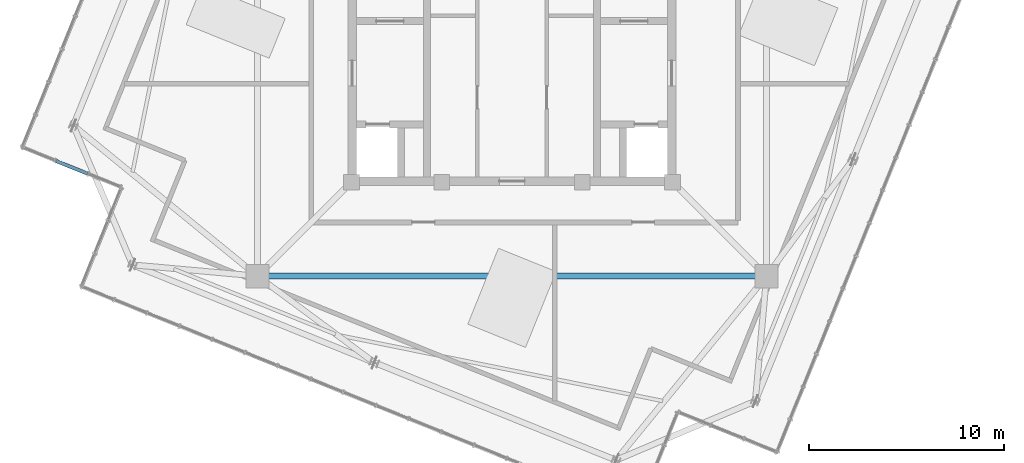
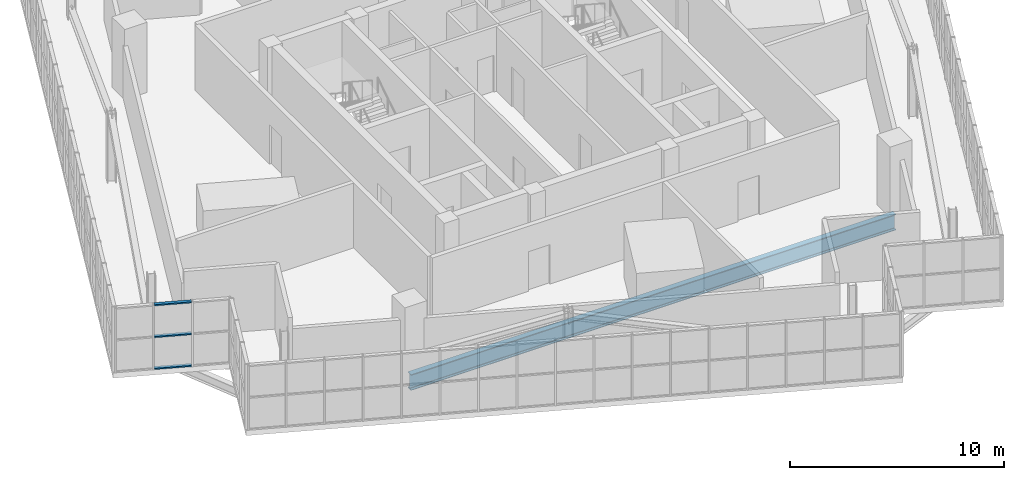
# One storey, part 5 of 26: 3 members, 1 beam, 1 element without a shape of its own.
"""IFC4 building model written with IfcOpenShell, lengths in metres."""

import ifcopenshell
import ifcopenshell.guid

model = None  # the IFC model being written
_history = None  # IfcOwnerHistory: only IFC2X3 demands one
_inside = {}  # id of a spatial element -> (the spatial element, [elements in it])
_under = {}  # id of a project, library or spatial element -> (it, [spatial elements below it])
_declared = {}  # id of a project -> (the project, [libraries it declares])
_typed = {}  # id of a type object -> (the type object, [elements of that type])
_made_of = {}  # id of a material, layer set ... -> (it, [elements and type objects made of it])


def new_model(schema):
    """Start an empty IFC model of exactly this schema.

    Asked for "IFC4X3", IfcOpenShell would pick the latest addendum, in which some entities
    have other attributes; the version numbers below select the first issue.
    IFC2X3 requires an IfcOwnerHistory on every rooted entity: one is made here for all.
    """
    global model, _history
    if schema == "IFC4X3":
        model = ifcopenshell.file(schema_version=(4, 3, 0, 0))
    else:
        model = ifcopenshell.file(schema=schema)
    _inside.clear()
    _under.clear()
    _declared.clear()
    _typed.clear()
    _made_of.clear()
    _history = None
    if model.schema == "IFC2X3":
        org = make("IfcOrganization", Name="unknown")
        user = make(
            "IfcPersonAndOrganization",
            ThePerson=make("IfcPerson", FamilyName="unknown"),
            TheOrganization=org,
        )
        app = make(
            "IfcApplication",
            ApplicationDeveloper=org,
            Version="unknown",
            ApplicationFullName="unknown",
            ApplicationIdentifier="unknown",
        )
        _history = make(
            "IfcOwnerHistory",
            OwningUser=user,
            OwningApplication=app,
            ChangeAction="ADDED",
            CreationDate=0,
        )
    return model


def make(cls, **values):
    """One entity of the class cls with the attributes given. An attribute that is None is left unset."""
    return model.create_entity(
        cls, **{name: value for name, value in values.items() if value is not None}
    )


def rooted(cls, **values):
    """An entity with a GlobalId (a new one), such as an element, a storey or a relation."""
    return make(cls, GlobalId=ifcopenshell.guid.new(), OwnerHistory=_history, **values)


def si_unit(unit_type, name, prefix=None):
    """IfcSIUnit, for example si_unit("LENGTHUNIT", "METRE", prefix="MILLI")."""
    return make("IfcSIUnit", UnitType=unit_type, Prefix=prefix, Name=name)


def assignment(units):
    """IfcUnitAssignment: the units of a project."""
    return None if units is None else make("IfcUnitAssignment", Units=units)


def point(xyz):
    """IfcCartesianPoint."""
    return None if xyz is None else make("IfcCartesianPoint", Coordinates=xyz)


def direction(xyz):
    """IfcDirection."""
    return None if xyz is None else make("IfcDirection", DirectionRatios=xyz)


def frame(location, z_axis=None, x_axis=None):
    """IfcAxis2Placement3D, a coordinate frame: its origin and axes. An axis left out is left unset."""
    return make(
        "IfcAxis2Placement3D",
        Location=point(location),
        Axis=direction(z_axis),
        RefDirection=direction(x_axis),
    )


def frame_2d(location, x_axis=None):
    """IfcAxis2Placement2D, a coordinate frame in the plane: its origin and x axis."""
    return make(
        "IfcAxis2Placement2D", Location=point(location), RefDirection=direction(x_axis)
    )


def origin():
    """The frame at (0, 0, 0) with its axes left unset."""
    return frame((0.0, 0.0, 0.0))


def origin_2d():
    """The frame at (0, 0) in the plane with its x axis left unset."""
    return frame_2d((0.0, 0.0))


def place(relative_to, where):
    """IfcLocalPlacement: puts the frame where relative to a parent placement (None: the world)."""
    return make(
        "IfcLocalPlacement", PlacementRelTo=relative_to, RelativePlacement=where
    )


def context(
    kind, dimensions, precision=None, world=None, true_north=None, identifier=None
):
    """IfcGeometricRepresentationContext, for example the 3D "Model" context."""
    return make(
        "IfcGeometricRepresentationContext",
        ContextIdentifier=identifier,
        ContextType=kind,
        CoordinateSpaceDimension=dimensions,
        Precision=precision,
        WorldCoordinateSystem=world,
        TrueNorth=true_north,
    )


def subcontext(parent, identifier, kind, view, scale=None):
    """IfcGeometricRepresentationSubContext, for example "Body" below "Model"."""
    return make(
        "IfcGeometricRepresentationSubContext",
        ContextIdentifier=identifier,
        ContextType=kind,
        ParentContext=parent,
        TargetScale=scale,
        TargetView=view,
    )


def project(units=None, contexts=None):
    """IfcProject with its units and contexts."""
    return rooted(
        "IfcProject",
        Name="project",
        RepresentationContexts=contexts,
        UnitsInContext=assignment(units),
    )


def spatial(cls, under=None, at=None, **own):
    """A site, building, storey or space (cls), placed at a placement, below another one or the project."""
    s = rooted(cls, ObjectPlacement=at, **own)
    if under is not None:
        _under.setdefault(under.id(), (under, []))[1].append(s)
    return s


def profile(cls, at=None, kind="AREA", **sizes):
    """A parametric profile (cls). Its sizes go by their IFC names, for example OverallWidth=200.0."""
    return make(cls, ProfileType=kind, Position=at, **sizes)


def hollow_rectangle(**sizes):
    """IfcRectangleHollowProfileDef."""
    return profile("IfcRectangleHollowProfileDef", **sizes)


def i_section(**sizes):
    """IfcIShapeProfileDef."""
    return profile("IfcIShapeProfileDef", **sizes)


def extrude(swept, where, along, depth):
    """IfcExtrudedAreaSolid: the profile swept, set in the frame where, extruded along a direction by depth."""
    return make(
        "IfcExtrudedAreaSolid",
        SweptArea=swept,
        Position=where,
        ExtrudedDirection=direction(along),
        Depth=depth,
    )


def shape(context_of_items, identifier, shape_type, items):
    """IfcShapeRepresentation: the items that make up one representation, for example the "Body"."""
    return make(
        "IfcShapeRepresentation",
        ContextOfItems=context_of_items,
        RepresentationIdentifier=identifier,
        RepresentationType=shape_type,
        Items=items,
    )


def source(mapping_origin, context_of_items, identifier, shape_type, items):
    """IfcRepresentationMap: a shape defined once, which mapped items show again and again."""
    return make(
        "IfcRepresentationMap",
        MappingOrigin=mapping_origin,
        MappedRepresentation=shape(context_of_items, identifier, shape_type, items),
    )


def transform(
    local_origin,
    x_axis=None,
    y_axis=None,
    z_axis=None,
    scale=None,
    scale2=None,
    scale3=None,
    uniform=True,
):
    """IfcCartesianTransformationOperator3D, or its non-uniform kind. x_axis, y_axis, z_axis: its Axis1, 2, 3."""
    if uniform:
        return make(
            "IfcCartesianTransformationOperator3D",
            Axis1=direction(x_axis),
            Axis2=direction(y_axis),
            LocalOrigin=point(local_origin),
            Scale=scale,
            Axis3=direction(z_axis),
        )
    return make(
        "IfcCartesianTransformationOperator3DnonUniform",
        Axis1=direction(x_axis),
        Axis2=direction(y_axis),
        LocalOrigin=point(local_origin),
        Scale=scale,
        Axis3=direction(z_axis),
        Scale2=scale2,
        Scale3=scale3,
    )


def mapped(mapping_source, mapping_target):
    """IfcMappedItem: shows the shape of a source again, moved by a transform."""
    return make(
        "IfcMappedItem", MappingSource=mapping_source, MappingTarget=mapping_target
    )


def material(Name=None, Category=None):
    """IfcMaterial."""
    return make("IfcMaterial", Name=Name, Category=Category)


def layer(
    of_material, thickness, ventilated=None, Name=None, Category=None, Priority=None
):
    """IfcMaterialLayer: one layer of a wall or slab, of a material (None: an air gap)."""
    return make(
        "IfcMaterialLayer",
        Material=of_material,
        LayerThickness=thickness,
        IsVentilated=ventilated,
        Name=Name,
        Category=Category,
        Priority=Priority,
    )


def layer_set(layers, Name=None):
    """IfcMaterialLayerSet."""
    return make("IfcMaterialLayerSet", MaterialLayers=layers, LayerSetName=Name)


def material_profile(
    of_material, cross_section, Name=None, Category=None, Priority=None
):
    """IfcMaterialProfile: a cross section and its material."""
    return make(
        "IfcMaterialProfile",
        Name=Name,
        Material=of_material,
        Profile=cross_section,
        Priority=Priority,
        Category=Category,
    )


def profile_set(profiles, Name=None, composite=None):
    """IfcMaterialProfileSet."""
    return make(
        "IfcMaterialProfileSet",
        Name=Name,
        MaterialProfiles=profiles,
        CompositeProfile=composite,
    )


def made_of(thing, what):
    """Note that an element or type object is made of a material, layer set ...; save() writes the relation."""
    if what is not None:
        _made_of.setdefault(what.id(), (what, []))[1].append(thing)
    return thing


def type_object(cls, material=None, **own):
    """A type object (cls), such as IfcWallType, which elements share."""
    return made_of(rooted(cls, **own), material)


def element(
    cls,
    number,
    at=None,
    inside=None,
    cuts=None,
    type_object=None,
    material=None,
    context=None,
    identifier="Body",
    shape_type=None,
    held_by="IfcProductDefinitionShape",
    body=None,
    shapes=None,
    **own,
):
    """One element of the class cls, such as IfcWall. Its Tag is "e" and its number.

    at: its placement. inside: the storey or other place that contains it. cuts: it is an
    opening in that element (IfcRelVoidsElement). A single representation is given by context,
    identifier, shape_type and body (its items); several are given by shapes. held_by: the class
    of the entity that holds the representations. save() writes the other relations.
    """
    e = rooted(cls, Tag="e%d" % number, ObjectPlacement=at, **own)
    if body is not None:
        shapes = [shape(context, identifier, shape_type, body)]
    if shapes is not None:
        e.Representation = make(held_by, Representations=shapes)
    if inside is not None:
        _inside.setdefault(inside.id(), (inside, []))[1].append(e)
    if cuts is not None:
        rooted(
            "IfcRelVoidsElement", RelatingBuildingElement=cuts, RelatedOpeningElement=e
        )
    if type_object is not None:
        _typed.setdefault(type_object.id(), (type_object, []))[1].append(e)
    return made_of(e, material)


def aggregate(whole, parts):
    """IfcRelAggregates: a whole, such as a stair, and the parts it consists of."""
    return rooted("IfcRelAggregates", RelatingObject=whole, RelatedObjects=parts)


def save(model, path):
    """Write the relations noted so far, then the file.

    IfcRelAggregates (storeys below a building ...), IfcRelContainedInSpatialStructure (elements
    in a storey), IfcRelDefinesByType, IfcRelAssociatesMaterial and IfcRelDeclares: one each for
    every whole, place, type object, material and project.
    """
    for whole, parts in _under.values():
        aggregate(whole, parts)
    for where, things in _inside.values():
        rooted(
            "IfcRelContainedInSpatialStructure",
            RelatedElements=things,
            RelatingStructure=where,
        )
    for kind, things in _typed.values():
        rooted("IfcRelDefinesByType", RelatedObjects=things, RelatingType=kind)
    for what, things in _made_of.values():
        rooted("IfcRelAssociatesMaterial", RelatedObjects=things, RelatingMaterial=what)
    for by, libraries in _declared.values():
        rooted("IfcRelDeclares", RelatingContext=by, RelatedDefinitions=libraries)
    model.write(path)


model = new_model("IFC4")

# Units and contexts
model_context = context("Model", 3, precision=1e-05, world=origin(), true_north=direction((0.0, 1.0)))
body_context = subcontext(model_context, "Body", "Model", "MODEL_VIEW")
ifc_project = project(units=[si_unit("LENGTHUNIT", "METRE"), si_unit("AREAUNIT", "SQUARE_METRE"), si_unit("VOLUMEUNIT", "CUBIC_METRE"), si_unit("PLANEANGLEUNIT", "RADIAN"), si_unit("MASSUNIT", "GRAM", prefix="KILO"), si_unit("THERMODYNAMICTEMPERATUREUNIT", "KELVIN")], contexts=[model_context])

# Site, building, storey
site_placement = place(None, origin())
site = spatial("IfcSite", under=ifc_project, at=site_placement, CompositionType="ELEMENT")
building_placement = place(site_placement, origin())
building = spatial("IfcBuilding", under=site, at=building_placement, Name="Kosmvard Interchange Tower", CompositionType="ELEMENT")
storey_placement = place(building_placement, frame((0.0, 0.0, 329.60009765625)))
storey = spatial("IfcBuildingStorey", under=building, at=storey_placement, Name="L81", CompositionType="ELEMENT", Elevation=329.60009765625)

# Beam
ifc_material_1 = material(Name="Steel S355", Category="steel")
ifc_material_profile_1 = material_profile(ifc_material_1, i_section(OverallWidth=0.300048828125, OverallDepth=0.89990234375, WebThickness=0.0185546875, FlangeThickness=0.034912109375, FilletRadius=0.030029296875, at=origin_2d()), Name="HEB 900")
ifc_profile_set_1 = profile_set([ifc_material_profile_1], Name="Steel S355")
beam_type = type_object("IfcBeamType", Name="Mega-Column Ring Girder HEB 900 S355", PredefinedType="BEAM", material=ifc_profile_set_1)
shared_shape_1 = source(origin(), body_context, "Body", "SweptSolid", [
    extrude(i_section(OverallWidth=0.300048828125, OverallDepth=0.89990234375, WebThickness=0.0185546875, FlangeThickness=0.034912109375, FilletRadius=0.030029296875, at=origin_2d()), origin(), (0.0, 0.0, 1.0), 26.162109375),
])
beam_placement = place(storey_placement, frame((-13.0810546875, -13.0810546875, -0.75), z_axis=(1.0, 0.0, 0.0), x_axis=(0.0, 1.0, 0.0)))
element("IfcBeam", 1, at=beam_placement, inside=storey, type_object=beam_type, Name="L81 Mega-Column Ring Girder 1", PredefinedType="BEAM", context=body_context, shape_type="MappedRepresentation", body=[
    mapped(shared_shape_1, transform((0.0, 0.0, 0.0), scale=1.0)),
])

# Curtain wall, members
ifc_material_2 = material(Name="Architectural anodised aluminium", Category="aluminium")
ifc_layer = layer(ifc_material_2, 0.25, Name="Architectural anodised aluminium")
ifc_layer_set = layer_set([ifc_layer], Name="Architectural anodised aluminium")
curtain_wall_type = type_object("IfcCurtainWallType", Name="CW-6 Illuminated Crown Lantern Curtain Wall", PredefinedType="NOTDEFINED", material=ifc_layer_set)
curtain_wall_placement = place(storey_placement, origin())
curtain_wall = element("IfcCurtainWall", 2, at=curtain_wall_placement, inside=storey, type_object=curtain_wall_type, Name="L81 Crown Lantern Glazing Face 08", PredefinedType="NOTDEFINED")
ifc_material_profile_2 = material_profile(ifc_material_2, hollow_rectangle(XDim=0.179931640625, YDim=0.070068359375, WallThickness=0.0048828125, at=origin_2d()), Name="CWT 180x70x5")
ifc_profile_set_2 = profile_set([ifc_material_profile_2], Name="Architectural anodised aluminium")
member_type = type_object("IfcMemberType", Name="Heavy Lantern CW Transom 180x70 Aluminium", PredefinedType="USERDEFINED", material=ifc_profile_set_2)
shared_shape_2 = source(origin(), body_context, "Body", "SweptSolid", [
    extrude(hollow_rectangle(XDim=0.179931640625, YDim=0.070068359375, WallThickness=0.0048828125, at=origin_2d()), origin(), (0.0, 0.0, 1.0), 1.75341796875),
])
member_1_placement = place(storey_placement, frame((-23.436279296875, -7.162109375, 0.034912109375), z_axis=(0.927155350429, -0.374677135907, 0.0), x_axis=(0.374677135907, 0.927155350429, 0.0)))
member_1 = element("IfcMember", 3, at=member_1_placement, type_object=member_type, Name="CW-6 transom 2.1", ObjectType="TRANSOM", PredefinedType="USERDEFINED", context=body_context, shape_type="MappedRepresentation", body=[
    mapped(shared_shape_2, transform((0.0, 0.0, 0.0), scale=1.0)),
])
member_2_placement = place(storey_placement, frame((-23.436279296875, -7.162109375, 1.849853515625), z_axis=(0.927155350429, -0.374677135907, 0.0), x_axis=(0.374677135907, 0.927155350429, 0.0)))
member_2 = element("IfcMember", 4, at=member_2_placement, type_object=member_type, Name="CW-6 transom 2.2", ObjectType="TRANSOM", PredefinedType="USERDEFINED", context=body_context, shape_type="MappedRepresentation", body=[
    mapped(shared_shape_2, transform((0.0, 0.0, 0.0), scale=1.0)),
])
member_3_placement = place(storey_placement, frame((-23.436279296875, -7.162109375, 3.664794921875), z_axis=(0.927155350429, -0.374677135907, 0.0), x_axis=(0.374677135907, 0.927155350429, 0.0)))
member_3 = element("IfcMember", 5, at=member_3_placement, type_object=member_type, Name="CW-6 transom 2.3", ObjectType="TRANSOM", PredefinedType="USERDEFINED", context=body_context, shape_type="MappedRepresentation", body=[
    mapped(shared_shape_2, transform((0.0, 0.0, 0.0), scale=1.0)),
])
aggregate(curtain_wall, [member_1, member_2, member_3])

save(model, "model.ifc")
